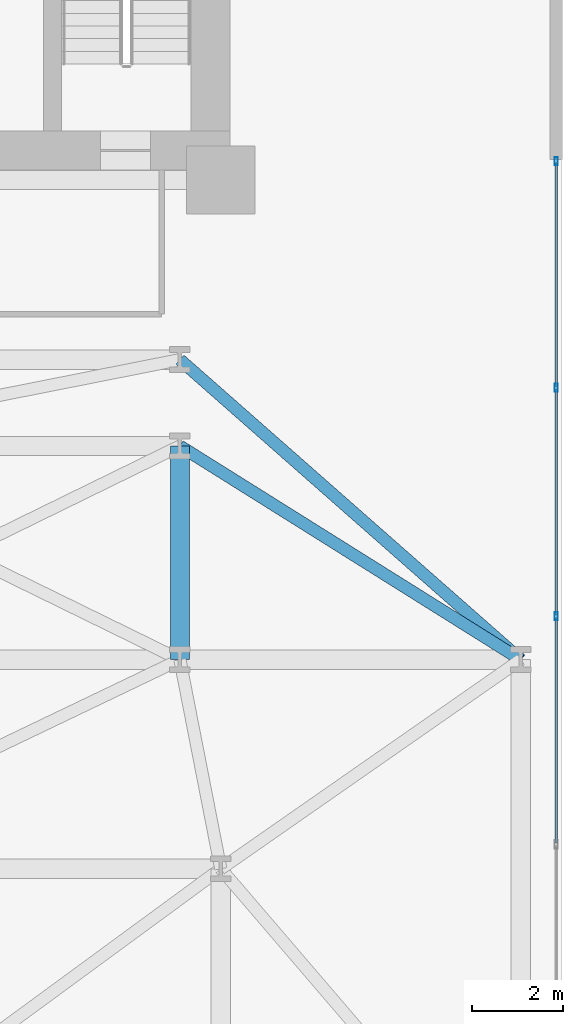
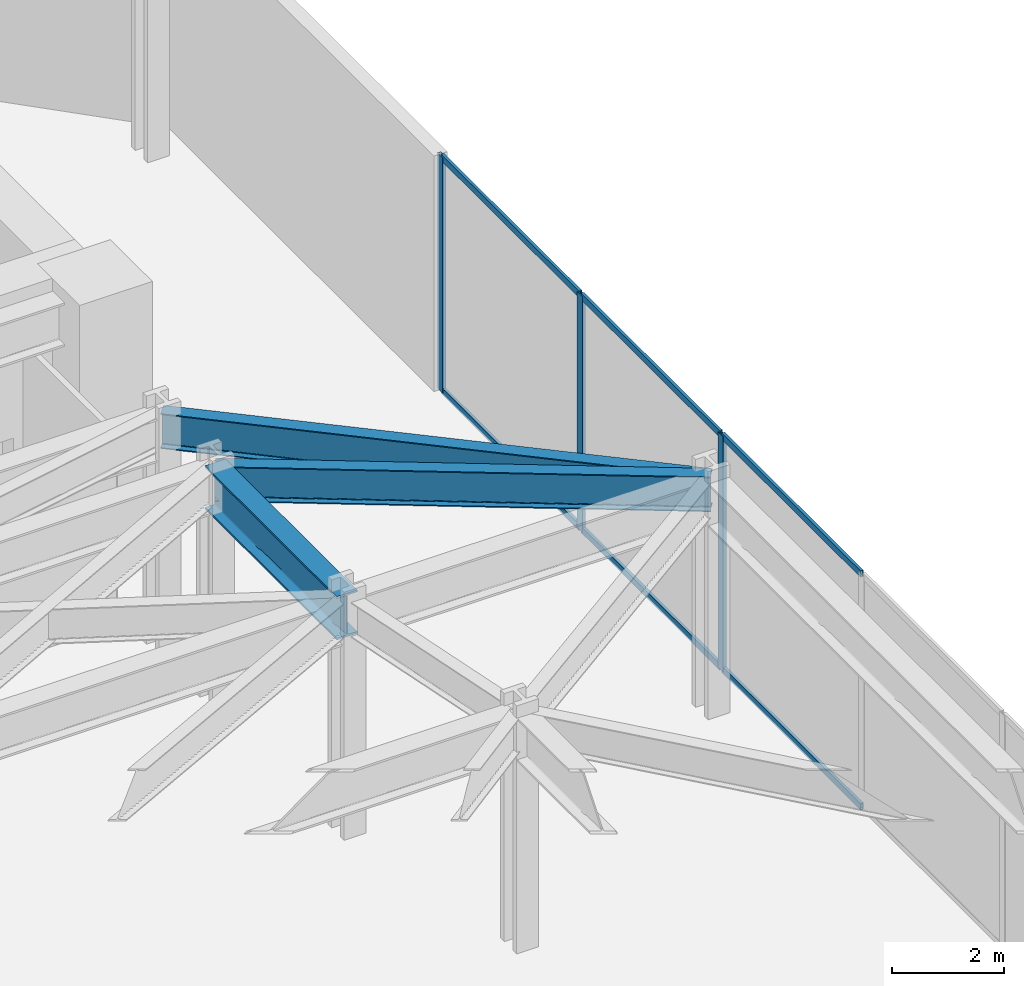
# One storey, part 23 of 29: 9 members, 3 beams, 1 element without a shape of its own.
"""IFC4 building model written with IfcOpenShell, lengths in metres."""

from ifc_helpers import new_model, si_unit, direction, frame, origin, origin_2d, place, context, subcontext, project, spatial, hollow_rectangle, i_section, extrude, material, layer, layer_set, material_profile, profile_set, type_object, element, aggregate, save


model = new_model("IFC4")

# Units and contexts
model_context = context("Model", 3, precision=1e-05, world=origin(), true_north=direction((0.0, 1.0)))
body_context = subcontext(model_context, "Body", "Model", "MODEL_VIEW")
ifc_project = project(units=[si_unit("LENGTHUNIT", "METRE"), si_unit("AREAUNIT", "SQUARE_METRE"), si_unit("VOLUMEUNIT", "CUBIC_METRE"), si_unit("PLANEANGLEUNIT", "RADIAN"), si_unit("MASSUNIT", "GRAM", prefix="KILO")], contexts=[model_context])

# Site, building, storey
site_placement = place(None, origin())
site = spatial("IfcSite", under=ifc_project, at=site_placement, CompositionType="ELEMENT")
building_placement = place(site_placement, origin())
building = spatial("IfcBuilding", under=site, at=building_placement, Name="Kravanh Interchange Tower", CompositionType="ELEMENT")
storey_placement = place(building_placement, frame((0.0, 0.0, 5.39990234375)))
storey = spatial("IfcBuildingStorey", under=building, at=storey_placement, Name="L01", CompositionType="ELEMENT", Elevation=5.39990234375)

# Curtain wall, members
ifc_material_1 = material(Name="Anodised Bronze Aluminium", Category="aluminium")
ifc_layer = layer(ifc_material_1, 0.179931640625)
ifc_layer_set = layer_set([ifc_layer], Name="Unitised Curtain Wall System CW-POD Podium Concourse")
curtain_wall_type = type_object("IfcCurtainWallType", Name="Unitised Curtain Wall System CW-POD Podium Concourse", PredefinedType="NOTDEFINED", material=ifc_layer_set)
curtain_wall_placement = place(storey_placement, origin())
curtain_wall = element("IfcCurtainWall", 1, at=curtain_wall_placement, inside=storey, type_object=curtain_wall_type, Name="L01 Unitised Curtain Wall CW-L01-02", PredefinedType="NOTDEFINED")
ifc_material_2 = material(Name="Anodised Bronze Aluminium", Category="aluminium")
ifc_material_profile_1 = material_profile(ifc_material_2, hollow_rectangle(XDim=0.070068359375, YDim=0.179931640625, WallThickness=0.00390625, at=origin_2d()), Name="ALU70X180X4")
ifc_profile_set_1 = profile_set([ifc_material_profile_1], Name="Anodised Bronze Aluminium")
member_type_1 = type_object("IfcMemberType", Name="Curtain Wall Mullion ALU70X180X4 Bronze", PredefinedType="MULLION", material=ifc_profile_set_1)
member_1_placement = place(storey_placement, frame((73.8798828125, 37.764892578125, 0.0), z_axis=(0.0, 0.0, 1.0), x_axis=(1.0, 0.0, 0.0)))
member_1 = element("IfcMember", 2, at=member_1_placement, type_object=member_type_1, Name="CW-POD mullion 1", PredefinedType="MULLION", context=body_context, shape_type="SweptSolid", body=[
    extrude(hollow_rectangle(XDim=0.070068359375, YDim=0.179931640625, WallThickness=0.00390625, at=origin_2d()), origin(), (0.0, 0.0, 1.0), 5.130126953125),
])
member_2_placement = place(storey_placement, frame((73.8798828125, 32.778564453125, 0.0), z_axis=(0.0, 0.0, 1.0), x_axis=(1.0, 0.0, 0.0)))
member_2 = element("IfcMember", 3, at=member_2_placement, type_object=member_type_1, Name="CW-POD mullion 2", PredefinedType="MULLION", context=body_context, shape_type="SweptSolid", body=[
    extrude(hollow_rectangle(XDim=0.070068359375, YDim=0.179931640625, WallThickness=0.00390625, at=origin_2d()), origin(), (0.0, 0.0, 1.0), 5.130126953125),
])
member_3_placement = place(storey_placement, frame((73.8798828125, 27.757080078125, 0.0), z_axis=(0.0, 0.0, 1.0), x_axis=(1.0, 0.0, 0.0)))
member_3 = element("IfcMember", 4, at=member_3_placement, type_object=member_type_1, Name="CW-POD mullion 3", PredefinedType="MULLION", context=body_context, shape_type="SweptSolid", body=[
    extrude(hollow_rectangle(XDim=0.070068359375, YDim=0.179931640625, WallThickness=0.00390625, at=origin_2d()), origin(), (0.0, 0.0, 1.0), 5.130126953125),
])
ifc_material_3 = material(Name="Anodised Bronze Aluminium", Category="aluminium")
ifc_material_profile_2 = material_profile(ifc_material_3, hollow_rectangle(XDim=0.06005859375, YDim=0.139892578125, WallThickness=0.00390625, at=origin_2d()), Name="ALU60X140X4")
ifc_profile_set_2 = profile_set([ifc_material_profile_2], Name="Anodised Bronze Aluminium")
member_type_2 = type_object("IfcMemberType", Name="Curtain Wall Transom ALU60X140X4 Bronze", PredefinedType="USERDEFINED", material=ifc_profile_set_2)
member_4_placement = place(storey_placement, frame((73.8798828125, 37.72998046875, 0.030029296875), z_axis=(0.0, -1.0, 0.0), x_axis=(1.0, 0.0, 0.0)))
member_4 = element("IfcMember", 5, at=member_4_placement, type_object=member_type_2, Name="CW-POD transom 1.1", ObjectType="TRANSOM", PredefinedType="USERDEFINED", context=body_context, shape_type="SweptSolid", body=[
    extrude(hollow_rectangle(XDim=0.06005859375, YDim=0.139892578125, WallThickness=0.00390625, at=origin_2d()), origin(), (0.0, 0.0, 1.0), 4.91650390625),
])
member_5_placement = place(storey_placement, frame((73.8798828125, 37.72998046875, 5.10009765625), z_axis=(0.0, -1.0, 0.0), x_axis=(1.0, 0.0, 0.0)))
member_5 = element("IfcMember", 6, at=member_5_placement, type_object=member_type_2, Name="CW-POD transom 1.2", ObjectType="TRANSOM", PredefinedType="USERDEFINED", context=body_context, shape_type="SweptSolid", body=[
    extrude(hollow_rectangle(XDim=0.06005859375, YDim=0.139892578125, WallThickness=0.00390625, at=origin_2d()), origin(), (0.0, 0.0, 1.0), 4.91650390625),
])
member_6_placement = place(storey_placement, frame((73.8798828125, 32.743408203125, 0.030029296875), z_axis=(0.0, -1.0, 0.0), x_axis=(1.0, 0.0, 0.0)))
member_6 = element("IfcMember", 7, at=member_6_placement, type_object=member_type_2, Name="CW-POD transom 2.1", ObjectType="TRANSOM", PredefinedType="USERDEFINED", context=body_context, shape_type="SweptSolid", body=[
    extrude(hollow_rectangle(XDim=0.06005859375, YDim=0.139892578125, WallThickness=0.00390625, at=origin_2d()), origin(), (0.0, 0.0, 1.0), 4.951416015625),
])
member_7_placement = place(storey_placement, frame((73.8798828125, 32.743408203125, 5.10009765625), z_axis=(0.0, -1.0, 0.0), x_axis=(1.0, 0.0, 0.0)))
member_7 = element("IfcMember", 8, at=member_7_placement, type_object=member_type_2, Name="CW-POD transom 2.2", ObjectType="TRANSOM", PredefinedType="USERDEFINED", context=body_context, shape_type="SweptSolid", body=[
    extrude(hollow_rectangle(XDim=0.06005859375, YDim=0.139892578125, WallThickness=0.00390625, at=origin_2d()), origin(), (0.0, 0.0, 1.0), 4.951416015625),
])
member_8_placement = place(storey_placement, frame((73.8798828125, 27.72216796875, 0.030029296875), z_axis=(0.0, -1.0, 0.0), x_axis=(1.0, 0.0, 0.0)))
member_8 = element("IfcMember", 9, at=member_8_placement, type_object=member_type_2, Name="CW-POD transom 3.1", ObjectType="TRANSOM", PredefinedType="USERDEFINED", context=body_context, shape_type="SweptSolid", body=[
    extrude(hollow_rectangle(XDim=0.06005859375, YDim=0.139892578125, WallThickness=0.00390625, at=origin_2d()), origin(), (0.0, 0.0, 1.0), 4.95166015625),
])
member_9_placement = place(storey_placement, frame((73.8798828125, 27.72216796875, 5.10009765625), z_axis=(0.0, -1.0, 0.0), x_axis=(1.0, 0.0, 0.0)))
member_9 = element("IfcMember", 10, at=member_9_placement, type_object=member_type_2, Name="CW-POD transom 3.2", ObjectType="TRANSOM", PredefinedType="USERDEFINED", context=body_context, shape_type="SweptSolid", body=[
    extrude(hollow_rectangle(XDim=0.06005859375, YDim=0.139892578125, WallThickness=0.00390625, at=origin_2d()), origin(), (0.0, 0.0, 1.0), 4.95166015625),
])
aggregate(curtain_wall, [member_1, member_2, member_3, member_4, member_5, member_6, member_7, member_8, member_9])

# Beams
ifc_material_4 = material(Name="Structural Steel S450", Category="steel")
ifc_material_profile_3 = material_profile(ifc_material_4, i_section(OverallWidth=0.423095703125, OverallDepth=0.947998046875, WebThickness=0.02392578125, FlangeThickness=0.042724609375, FilletRadius=0.028076171875, at=origin_2d()), Name="W36X302")
ifc_profile_set_3 = profile_set([ifc_material_profile_3], Name="Structural Steel S450")
beam_type_1 = type_object("IfcBeamType", Name="Floor Beam W36X302 Structural Steel S450", PredefinedType="BEAM", material=ifc_profile_set_3)
beam_1_placement = place(storey_placement, frame((65.60009765625, 26.800048828125, 4.656005859375), z_axis=(0.0, 1.0, 0.0), x_axis=(-1.0, 0.0, 0.0)))
element("IfcBeam", 11, at=beam_1_placement, inside=storey, type_object=beam_type_1, Name="L01 Primary Floor Girder 101", PredefinedType="BEAM", context=body_context, shape_type="SweptSolid", body=[
    extrude(i_section(OverallWidth=0.423095703125, OverallDepth=0.947998046875, WebThickness=0.02392578125, FlangeThickness=0.042724609375, FilletRadius=0.028076171875, at=origin_2d()), origin(), (0.0, 0.0, 1.0), 4.699951171875),
])
ifc_material_5 = material(Name="Structural Steel S355", Category="steel")
ifc_material_profile_4 = material_profile(ifc_material_5, i_section(OverallWidth=0.26708984375, OverallDepth=0.761962890625, WebThickness=0.014404296875, FlangeThickness=0.021484375, FilletRadius=0.02490234375, at=origin_2d()), Name="W30X116")
ifc_profile_set_4 = profile_set([ifc_material_profile_4], Name="Structural Steel S355")
beam_type_2 = type_object("IfcBeamType", Name="Floor Spandrel W30X116 Structural Steel S355", PredefinedType="SPANDREL", material=ifc_profile_set_4)
beam_2_placement = place(storey_placement, frame((65.60009765625, 31.5, 4.7490234375), z_axis=(0.847365449363, -0.531010164899, 0.0), x_axis=(0.531010164899, 0.847365449363, 0.0)))
element("IfcBeam", 12, at=beam_2_placement, inside=storey, type_object=beam_type_2, Name="L01 Perimeter Spandrel 121", PredefinedType="SPANDREL", context=body_context, shape_type="SweptSolid", body=[
    extrude(i_section(OverallWidth=0.26708984375, OverallDepth=0.761962890625, WebThickness=0.014404296875, FlangeThickness=0.021484375, FilletRadius=0.02490234375, at=origin_2d()), origin(), (0.0, 0.0, 1.0), 8.85107421875),
])
beam_3_placement = place(storey_placement, frame((73.10009765625, 26.800048828125, 4.7490234375), z_axis=(-0.750720788639, 0.660619631487, 0.0), x_axis=(-0.660619631487, -0.750720788639, 0.0)))
element("IfcBeam", 13, at=beam_3_placement, inside=storey, type_object=beam_type_2, Name="L01 Perimeter Spandrel 129", PredefinedType="SPANDREL", context=body_context, shape_type="SweptSolid", body=[
    extrude(i_section(OverallWidth=0.26708984375, OverallDepth=0.761962890625, WebThickness=0.014404296875, FlangeThickness=0.021484375, FilletRadius=0.02490234375, at=origin_2d()), origin(), (0.0, 0.0, 1.0), 9.990478515625),
])

save(model, "model.ifc")
